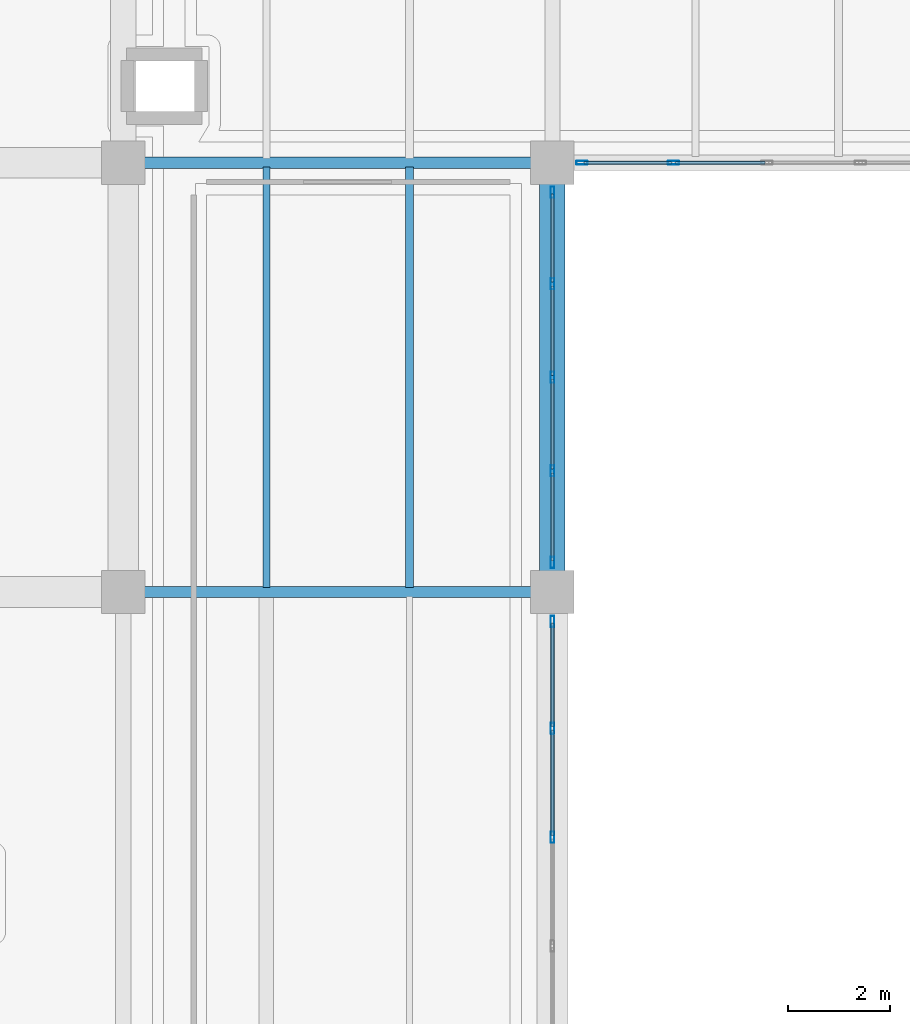
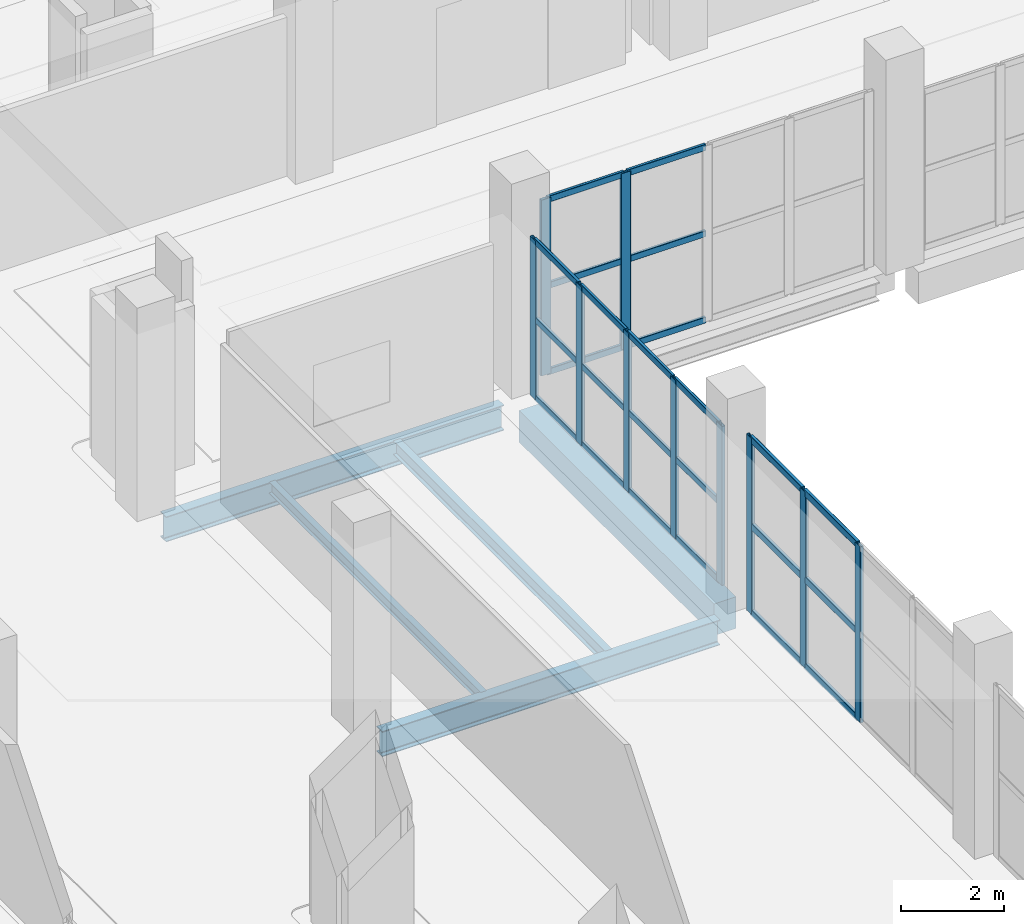
# One storey, part 33 of 66: 34 members, 5 beams, 3 elements without a shape of their own.
"""IFC4 building model written with IfcOpenShell, lengths in metres."""

from ifc_helpers import new_model, si_unit, direction, frame, origin, origin_2d, place, context, subcontext, project, spatial, rectangle, hollow_rectangle, i_section, extrude, material, layer, layer_set, material_profile, profile_set, type_object, element, aggregate, save


model = new_model("IFC4")

# Units and contexts
model_context = context("Model", 3, precision=1e-05, world=origin(), true_north=direction((0.0, 1.0)))
body_context = subcontext(model_context, "Body", "Model", "MODEL_VIEW")
ifc_project = project(units=[si_unit("LENGTHUNIT", "METRE"), si_unit("AREAUNIT", "SQUARE_METRE"), si_unit("VOLUMEUNIT", "CUBIC_METRE"), si_unit("PLANEANGLEUNIT", "RADIAN"), si_unit("MASSUNIT", "GRAM", prefix="KILO")], contexts=[model_context])

# Site, building, storey
site_placement = place(None, origin())
site = spatial("IfcSite", under=ifc_project, at=site_placement, CompositionType="ELEMENT")
building_placement = place(site_placement, origin())
building = spatial("IfcBuilding", under=site, at=building_placement, Name="Zulmaris Art Gallery", CompositionType="ELEMENT")
storey_placement = place(building_placement, frame((0.0, 0.0, 5.39990234375)))
storey = spatial("IfcBuildingStorey", under=building, at=storey_placement, Name="L01", CompositionType="ELEMENT", Elevation=5.39990234375)

# Beams
ifc_material_1 = material(Name="Steel S355J2", Category="steel")
ifc_material_profile_1 = material_profile(ifc_material_1, i_section(OverallWidth=0.219970703125, OverallDepth=0.60009765625, WebThickness=0.011962890625, FlangeThickness=0.01904296875, FilletRadius=0.02392578125, at=origin_2d()), Name="IPE 600")
ifc_profile_set_1 = profile_set([ifc_material_profile_1], Name="Steel S355J2")
beam_type_1 = type_object("IfcBeamType", Name="BEAM-BM07", PredefinedType="BEAM", material=ifc_profile_set_1)
for number, where, z_axis, x_axis, name in (
    (1, (150.409912109375, 50.39990234375, -0.6298828125), (1.0, 0.0, 0.0), (0.0, 1.0, 0.0), "L01 X-girder (150.0..158.4, y=50.4)"),
    (2, (150.409912109375, 58.800048828125, -0.6298828125), (1.0, 0.0, 0.0), (0.0, 1.0, 0.0), "L01 X-girder (150.0..158.4, y=58.8)"),
):
    element("IfcBeam", number, at=place(storey_placement, frame(where, z_axis=z_axis, x_axis=x_axis)), inside=storey, type_object=beam_type_1, Name=name, PredefinedType="BEAM", context=body_context, shape_type="SweptSolid", body=[
        extrude(i_section(OverallWidth=0.219970703125, OverallDepth=0.60009765625, WebThickness=0.011962890625, FlangeThickness=0.01904296875, FilletRadius=0.02392578125, at=origin_2d()), origin(), (0.0, 0.0, 1.0), 7.580078125),
    ])
ifc_material_2 = material(Name="Concrete C40/50", Category="concrete")
ifc_material_profile_2 = material_profile(ifc_material_2, rectangle(XDim=0.5, YDim=0.75, at=origin_2d()), Name="RC 500x750")
ifc_profile_set_2 = profile_set([ifc_material_profile_2], Name="Concrete C40/50")
beam_type_2 = type_object("IfcBeamType", Name="BEAM-BM20", PredefinedType="BEAM", material=ifc_profile_set_2)
beam_1_placement = place(storey_placement, frame((158.39990234375, 50.81005859375, -0.704833984375), z_axis=(0.0, 1.0, 0.0), x_axis=(-1.0, 0.0, 0.0)))
element("IfcBeam", 3, at=beam_1_placement, inside=storey, type_object=beam_type_2, Name="L01 Y-girder (x=158.4, 50.4..58.8)", PredefinedType="BEAM", context=body_context, shape_type="SweptSolid", body=[
    extrude(rectangle(XDim=0.5, YDim=0.75, at=origin_2d()), origin(), (0.0, 0.0, 1.0), 7.579833984375),
])
ifc_material_profile_3 = material_profile(ifc_material_1, i_section(OverallWidth=0.135009765625, OverallDepth=0.27001953125, WebThickness=0.006591796875, FlangeThickness=0.01025390625, FilletRadius=0.014892578125, at=origin_2d()), Name="IPE 270")
ifc_profile_set_3 = profile_set([ifc_material_profile_3], Name="Steel S355J2")
beam_type_3 = type_object("IfcBeamType", Name="BEAM-JS02", PredefinedType="JOIST", material=ifc_profile_set_3)
beam_2_placement = place(storey_placement, frame((152.800048828125, 50.485107421875, -0.46484375), z_axis=(0.0, 1.0, 0.0), x_axis=(-1.0, 0.0, 0.0)))
element("IfcBeam", 4, at=beam_2_placement, inside=storey, type_object=beam_type_3, Name="L01 secondary joist at x=152.8", PredefinedType="JOIST", context=body_context, shape_type="SweptSolid", body=[
    extrude(i_section(OverallWidth=0.135009765625, OverallDepth=0.27001953125, WebThickness=0.006591796875, FlangeThickness=0.01025390625, FilletRadius=0.014892578125, at=origin_2d()), origin(), (0.0, 0.0, 1.0), 8.22998046875),
])
ifc_material_profile_4 = material_profile(ifc_material_1, i_section(OverallWidth=0.159912109375, OverallDepth=0.330078125, WebThickness=0.007568359375, FlangeThickness=0.011474609375, FilletRadius=0.01806640625, at=origin_2d()), Name="IPE 330")
ifc_profile_set_4 = profile_set([ifc_material_profile_4], Name="Steel S355J2")
beam_type_4 = type_object("IfcBeamType", Name="BEAM-JS03", PredefinedType="JOIST", material=ifc_profile_set_4)
beam_3_placement = place(storey_placement, frame((155.60009765625, 50.485107421875, -0.494873046875), z_axis=(0.0, 1.0, 0.0), x_axis=(-1.0, 0.0, 0.0)))
element("IfcBeam", 5, at=beam_3_placement, inside=storey, type_object=beam_type_4, Name="L01 secondary joist at x=155.6", PredefinedType="JOIST", context=body_context, shape_type="SweptSolid", body=[
    extrude(i_section(OverallWidth=0.159912109375, OverallDepth=0.330078125, WebThickness=0.007568359375, FlangeThickness=0.011474609375, FilletRadius=0.01806640625, at=origin_2d()), origin(), (0.0, 0.0, 1.0), 8.22998046875),
])

# Curtain wall, members
ifc_material_3 = material(Name="Courtyard Artists Studio Curtain Wall", Category="aluminium")
ifc_layer = layer(ifc_material_3, 0.179931640625)
ifc_layer_set = layer_set([ifc_layer], Name="Courtyard Artists Studio Curtain Wall")
curtain_wall_type = type_object("IfcCurtainWallType", Name="CW-CW04", PredefinedType="NOTDEFINED", material=ifc_layer_set)
curtain_wall_1_placement = place(storey_placement, origin())
curtain_wall_1 = element("IfcCurtainWall", 6, at=curtain_wall_1_placement, inside=storey, type_object=curtain_wall_type, Name="L01 curtain wall 125", PredefinedType="NOTDEFINED")
ifc_material_4 = material(Name="Anodised Bronze Aluminium", Category="aluminium")
ifc_material_profile_5 = material_profile(ifc_material_4, hollow_rectangle(XDim=0.074951171875, YDim=0.219970703125, WallThickness=0.0048828125, InnerFilletRadius=0.007568359375, OuterFilletRadius=0.012451171875, at=origin_2d()), Name="ALU 75x220x5")
ifc_profile_set_5 = profile_set([ifc_material_profile_5], Name="Anodised Bronze Aluminium")
member_type_1 = type_object("IfcMemberType", Name="CWMUL-02", PredefinedType="MULLION", material=ifc_profile_set_5)
member_1_placement = place(storey_placement, frame((158.39990234375, 45.60009765625, 0.0), z_axis=(0.0, 0.0, 1.0), x_axis=(-1.0, 0.0, 0.0)))
member_1 = element("IfcMember", 7, at=member_1_placement, type_object=member_type_1, Name="CW04 mullion 3", PredefinedType="MULLION", context=body_context, shape_type="SweptSolid", body=[
    extrude(hollow_rectangle(XDim=0.074951171875, YDim=0.219970703125, WallThickness=0.0048828125, InnerFilletRadius=0.007568359375, OuterFilletRadius=0.012451171875, at=origin_2d()), origin(), (0.0, 0.0, 1.0), 4.175048828125),
])
member_2_placement = place(storey_placement, frame((158.39990234375, 47.72998046875, 0.0), z_axis=(0.0, 0.0, 1.0), x_axis=(-1.0, 0.0, 0.0)))
member_2 = element("IfcMember", 8, at=member_2_placement, type_object=member_type_1, Name="CW04 mullion 4", PredefinedType="MULLION", context=body_context, shape_type="SweptSolid", body=[
    extrude(hollow_rectangle(XDim=0.074951171875, YDim=0.219970703125, WallThickness=0.0048828125, InnerFilletRadius=0.007568359375, OuterFilletRadius=0.012451171875, at=origin_2d()), origin(), (0.0, 0.0, 1.0), 4.175048828125),
])
member_3_placement = place(storey_placement, frame((158.39990234375, 49.822509765625, 0.0), z_axis=(0.0, 0.0, 1.0), x_axis=(-1.0, 0.0, 0.0)))
member_3 = element("IfcMember", 9, at=member_3_placement, type_object=member_type_1, Name="CW04 mullion 5", PredefinedType="MULLION", context=body_context, shape_type="SweptSolid", body=[
    extrude(hollow_rectangle(XDim=0.074951171875, YDim=0.219970703125, WallThickness=0.0048828125, InnerFilletRadius=0.007568359375, OuterFilletRadius=0.012451171875, at=origin_2d()), origin(), (0.0, 0.0, 1.0), 4.175048828125),
])

curtain_wall_2_placement = place(storey_placement, origin())
curtain_wall_2 = element("IfcCurtainWall", 10, at=curtain_wall_2_placement, inside=storey, type_object=curtain_wall_type, Name="L01 curtain wall 127", PredefinedType="NOTDEFINED")
member_4_placement = place(storey_placement, frame((158.39990234375, 50.9775390625, 0.0), z_axis=(0.0, 0.0, 1.0), x_axis=(-1.0, 0.0, 0.0)))
member_4 = element("IfcMember", 11, at=member_4_placement, type_object=member_type_1, Name="CW04 mullion 1", PredefinedType="MULLION", context=body_context, shape_type="SweptSolid", body=[
    extrude(hollow_rectangle(XDim=0.074951171875, YDim=0.219970703125, WallThickness=0.0048828125, InnerFilletRadius=0.007568359375, OuterFilletRadius=0.012451171875, at=origin_2d()), origin(), (0.0, 0.0, 1.0), 3.77001953125),
])
member_5_placement = place(storey_placement, frame((158.39990234375, 52.77001953125, 0.0), z_axis=(0.0, 0.0, 1.0), x_axis=(-1.0, 0.0, 0.0)))
member_5 = element("IfcMember", 12, at=member_5_placement, type_object=member_type_1, Name="CW04 mullion 2", PredefinedType="MULLION", context=body_context, shape_type="SweptSolid", body=[
    extrude(hollow_rectangle(XDim=0.074951171875, YDim=0.219970703125, WallThickness=0.0048828125, InnerFilletRadius=0.007568359375, OuterFilletRadius=0.012451171875, at=origin_2d()), origin(), (0.0, 0.0, 1.0), 3.77001953125),
])
member_6_placement = place(storey_placement, frame((158.39990234375, 54.60009765625, 0.0), z_axis=(0.0, 0.0, 1.0), x_axis=(-1.0, 0.0, 0.0)))
member_6 = element("IfcMember", 13, at=member_6_placement, type_object=member_type_1, Name="CW04 mullion 3", PredefinedType="MULLION", context=body_context, shape_type="SweptSolid", body=[
    extrude(hollow_rectangle(XDim=0.074951171875, YDim=0.219970703125, WallThickness=0.0048828125, InnerFilletRadius=0.007568359375, OuterFilletRadius=0.012451171875, at=origin_2d()), origin(), (0.0, 0.0, 1.0), 3.77001953125),
])
member_7_placement = place(storey_placement, frame((158.39990234375, 56.429931640625, 0.0), z_axis=(0.0, 0.0, 1.0), x_axis=(-1.0, 0.0, 0.0)))
member_7 = element("IfcMember", 14, at=member_7_placement, type_object=member_type_1, Name="CW04 mullion 4", PredefinedType="MULLION", context=body_context, shape_type="SweptSolid", body=[
    extrude(hollow_rectangle(XDim=0.074951171875, YDim=0.219970703125, WallThickness=0.0048828125, InnerFilletRadius=0.007568359375, OuterFilletRadius=0.012451171875, at=origin_2d()), origin(), (0.0, 0.0, 1.0), 3.77001953125),
])
member_8_placement = place(storey_placement, frame((158.39990234375, 58.222412109375, 0.0), z_axis=(0.0, 0.0, 1.0), x_axis=(-1.0, 0.0, 0.0)))
member_8 = element("IfcMember", 15, at=member_8_placement, type_object=member_type_1, Name="CW04 mullion 5", PredefinedType="MULLION", context=body_context, shape_type="SweptSolid", body=[
    extrude(hollow_rectangle(XDim=0.074951171875, YDim=0.219970703125, WallThickness=0.0048828125, InnerFilletRadius=0.007568359375, OuterFilletRadius=0.012451171875, at=origin_2d()), origin(), (0.0, 0.0, 1.0), 3.77001953125),
])

curtain_wall_3_placement = place(storey_placement, origin())
curtain_wall_3 = element("IfcCurtainWall", 16, at=curtain_wall_3_placement, inside=storey, type_object=curtain_wall_type, Name="L01 curtain wall 129", PredefinedType="NOTDEFINED")
member_9_placement = place(storey_placement, frame((160.77001953125, 58.800048828125, 0.0), z_axis=(0.0, 0.0, 1.0), x_axis=(0.0, -1.0, 0.0)))
member_9 = element("IfcMember", 17, at=member_9_placement, type_object=member_type_1, Name="CW04 mullion 4", PredefinedType="MULLION", context=body_context, shape_type="SweptSolid", body=[
    extrude(hollow_rectangle(XDim=0.074951171875, YDim=0.219970703125, WallThickness=0.0048828125, InnerFilletRadius=0.007568359375, OuterFilletRadius=0.012451171875, at=origin_2d()), origin(), (0.0, 0.0, 1.0), 4.170166015625),
])
member_10_placement = place(storey_placement, frame((158.9775390625, 58.800048828125, 0.0), z_axis=(0.0, 0.0, 1.0), x_axis=(0.0, -1.0, 0.0)))
member_10 = element("IfcMember", 18, at=member_10_placement, type_object=member_type_1, Name="CW04 mullion 5", PredefinedType="MULLION", context=body_context, shape_type="SweptSolid", body=[
    extrude(hollow_rectangle(XDim=0.074951171875, YDim=0.219970703125, WallThickness=0.0048828125, InnerFilletRadius=0.007568359375, OuterFilletRadius=0.012451171875, at=origin_2d()), origin(), (0.0, 0.0, 1.0), 4.170166015625),
])

# Member
ifc_material_profile_6 = material_profile(ifc_material_4, hollow_rectangle(XDim=0.06494140625, YDim=0.14990234375, WallThickness=0.00390625, InnerFilletRadius=0.006103515625, OuterFilletRadius=0.010009765625, at=origin_2d()), Name="ALU 65x150x4")
ifc_profile_set_6 = profile_set([ifc_material_profile_6], Name="Anodised Bronze Aluminium")
member_type_2 = type_object("IfcMemberType", Name="CWTRN-01", PredefinedType="USERDEFINED", material=ifc_profile_set_6)
member_11_placement = place(storey_placement, frame((158.39990234375, 51.014892578125, 0.03759765625), z_axis=(0.0, 1.0, 0.0), x_axis=(-1.0, 0.0, 0.0)))
member_11 = element("IfcMember", 19, at=member_11_placement, type_object=member_type_2, Name="CW04 transom 1.1", ObjectType="TRANSOM", PredefinedType="USERDEFINED", context=body_context, shape_type="SweptSolid", body=[
    extrude(hollow_rectangle(XDim=0.06494140625, YDim=0.14990234375, WallThickness=0.00390625, InnerFilletRadius=0.006103515625, OuterFilletRadius=0.010009765625, at=origin_2d()), origin(), (0.0, 0.0, 1.0), 1.717529296875),
])

member_12_placement = place(storey_placement, frame((158.39990234375, 51.014892578125, 1.885009765625), z_axis=(0.0, 1.0, 0.0), x_axis=(-1.0, 0.0, 0.0)))
member_12 = element("IfcMember", 20, at=member_12_placement, type_object=member_type_2, Name="CW04 transom 1.2", ObjectType="TRANSOM", PredefinedType="USERDEFINED", context=body_context, shape_type="SweptSolid", body=[
    extrude(hollow_rectangle(XDim=0.06494140625, YDim=0.14990234375, WallThickness=0.00390625, InnerFilletRadius=0.006103515625, OuterFilletRadius=0.010009765625, at=origin_2d()), origin(), (0.0, 0.0, 1.0), 1.717529296875),
])

member_13_placement = place(storey_placement, frame((158.39990234375, 51.014892578125, 3.732666015625), z_axis=(0.0, 1.0, 0.0), x_axis=(-1.0, 0.0, 0.0)))
member_13 = element("IfcMember", 21, at=member_13_placement, type_object=member_type_2, Name="CW04 transom 1.3", ObjectType="TRANSOM", PredefinedType="USERDEFINED", context=body_context, shape_type="SweptSolid", body=[
    extrude(hollow_rectangle(XDim=0.06494140625, YDim=0.14990234375, WallThickness=0.00390625, InnerFilletRadius=0.006103515625, OuterFilletRadius=0.010009765625, at=origin_2d()), origin(), (0.0, 0.0, 1.0), 1.717529296875),
])

member_14_placement = place(storey_placement, frame((158.39990234375, 52.8076171875, 0.03759765625), z_axis=(0.0, 1.0, 0.0), x_axis=(-1.0, 0.0, 0.0)))
member_14 = element("IfcMember", 22, at=member_14_placement, type_object=member_type_2, Name="CW04 transom 2.1", ObjectType="TRANSOM", PredefinedType="USERDEFINED", context=body_context, shape_type="SweptSolid", body=[
    extrude(hollow_rectangle(XDim=0.06494140625, YDim=0.14990234375, WallThickness=0.00390625, InnerFilletRadius=0.006103515625, OuterFilletRadius=0.010009765625, at=origin_2d()), origin(), (0.0, 0.0, 1.0), 1.7548828125),
])

member_15_placement = place(storey_placement, frame((158.39990234375, 52.8076171875, 1.885009765625), z_axis=(0.0, 1.0, 0.0), x_axis=(-1.0, 0.0, 0.0)))
member_15 = element("IfcMember", 23, at=member_15_placement, type_object=member_type_2, Name="CW04 transom 2.2", ObjectType="TRANSOM", PredefinedType="USERDEFINED", context=body_context, shape_type="SweptSolid", body=[
    extrude(hollow_rectangle(XDim=0.06494140625, YDim=0.14990234375, WallThickness=0.00390625, InnerFilletRadius=0.006103515625, OuterFilletRadius=0.010009765625, at=origin_2d()), origin(), (0.0, 0.0, 1.0), 1.7548828125),
])

member_16_placement = place(storey_placement, frame((158.39990234375, 52.8076171875, 3.732666015625), z_axis=(0.0, 1.0, 0.0), x_axis=(-1.0, 0.0, 0.0)))
member_16 = element("IfcMember", 24, at=member_16_placement, type_object=member_type_2, Name="CW04 transom 2.3", ObjectType="TRANSOM", PredefinedType="USERDEFINED", context=body_context, shape_type="SweptSolid", body=[
    extrude(hollow_rectangle(XDim=0.06494140625, YDim=0.14990234375, WallThickness=0.00390625, InnerFilletRadius=0.006103515625, OuterFilletRadius=0.010009765625, at=origin_2d()), origin(), (0.0, 0.0, 1.0), 1.7548828125),
])

member_17_placement = place(storey_placement, frame((158.39990234375, 54.637451171875, 0.03759765625), z_axis=(0.0, 1.0, 0.0), x_axis=(-1.0, 0.0, 0.0)))
member_17 = element("IfcMember", 25, at=member_17_placement, type_object=member_type_2, Name="CW04 transom 3.1", ObjectType="TRANSOM", PredefinedType="USERDEFINED", context=body_context, shape_type="SweptSolid", body=[
    extrude(hollow_rectangle(XDim=0.06494140625, YDim=0.14990234375, WallThickness=0.00390625, InnerFilletRadius=0.006103515625, OuterFilletRadius=0.010009765625, at=origin_2d()), origin(), (0.0, 0.0, 1.0), 1.755126953125),
])

member_18_placement = place(storey_placement, frame((158.39990234375, 54.637451171875, 1.885009765625), z_axis=(0.0, 1.0, 0.0), x_axis=(-1.0, 0.0, 0.0)))
member_18 = element("IfcMember", 26, at=member_18_placement, type_object=member_type_2, Name="CW04 transom 3.2", ObjectType="TRANSOM", PredefinedType="USERDEFINED", context=body_context, shape_type="SweptSolid", body=[
    extrude(hollow_rectangle(XDim=0.06494140625, YDim=0.14990234375, WallThickness=0.00390625, InnerFilletRadius=0.006103515625, OuterFilletRadius=0.010009765625, at=origin_2d()), origin(), (0.0, 0.0, 1.0), 1.755126953125),
])

member_19_placement = place(storey_placement, frame((158.39990234375, 54.637451171875, 3.732666015625), z_axis=(0.0, 1.0, 0.0), x_axis=(-1.0, 0.0, 0.0)))
member_19 = element("IfcMember", 27, at=member_19_placement, type_object=member_type_2, Name="CW04 transom 3.3", ObjectType="TRANSOM", PredefinedType="USERDEFINED", context=body_context, shape_type="SweptSolid", body=[
    extrude(hollow_rectangle(XDim=0.06494140625, YDim=0.14990234375, WallThickness=0.00390625, InnerFilletRadius=0.006103515625, OuterFilletRadius=0.010009765625, at=origin_2d()), origin(), (0.0, 0.0, 1.0), 1.755126953125),
])

member_20_placement = place(storey_placement, frame((158.39990234375, 56.467529296875, 0.03759765625), z_axis=(0.0, 1.0, 0.0), x_axis=(-1.0, 0.0, 0.0)))
member_20 = element("IfcMember", 28, at=member_20_placement, type_object=member_type_2, Name="CW04 transom 4.1", ObjectType="TRANSOM", PredefinedType="USERDEFINED", context=body_context, shape_type="SweptSolid", body=[
    extrude(hollow_rectangle(XDim=0.06494140625, YDim=0.14990234375, WallThickness=0.00390625, InnerFilletRadius=0.006103515625, OuterFilletRadius=0.010009765625, at=origin_2d()), origin(), (0.0, 0.0, 1.0), 1.717529296875),
])

member_21_placement = place(storey_placement, frame((158.39990234375, 56.467529296875, 1.885009765625), z_axis=(0.0, 1.0, 0.0), x_axis=(-1.0, 0.0, 0.0)))
member_21 = element("IfcMember", 29, at=member_21_placement, type_object=member_type_2, Name="CW04 transom 4.2", ObjectType="TRANSOM", PredefinedType="USERDEFINED", context=body_context, shape_type="SweptSolid", body=[
    extrude(hollow_rectangle(XDim=0.06494140625, YDim=0.14990234375, WallThickness=0.00390625, InnerFilletRadius=0.006103515625, OuterFilletRadius=0.010009765625, at=origin_2d()), origin(), (0.0, 0.0, 1.0), 1.717529296875),
])

member_22_placement = place(storey_placement, frame((158.39990234375, 56.467529296875, 3.732666015625), z_axis=(0.0, 1.0, 0.0), x_axis=(-1.0, 0.0, 0.0)))
member_22 = element("IfcMember", 30, at=member_22_placement, type_object=member_type_2, Name="CW04 transom 4.3", ObjectType="TRANSOM", PredefinedType="USERDEFINED", context=body_context, shape_type="SweptSolid", body=[
    extrude(hollow_rectangle(XDim=0.06494140625, YDim=0.14990234375, WallThickness=0.00390625, InnerFilletRadius=0.006103515625, OuterFilletRadius=0.010009765625, at=origin_2d()), origin(), (0.0, 0.0, 1.0), 1.717529296875),
])

aggregate(curtain_wall_2, [member_4, member_5, member_6, member_7, member_8, member_11, member_12, member_13, member_14, member_15, member_16, member_17, member_18, member_19, member_20, member_21, member_22])

member_23_placement = place(storey_placement, frame((162.5625, 58.800048828125, 0.03759765625), z_axis=(-1.0, 0.0, 0.0), x_axis=(0.0, -1.0, 0.0)))
member_23 = element("IfcMember", 31, at=member_23_placement, type_object=member_type_2, Name="CW04 transom 3.1", ObjectType="TRANSOM", PredefinedType="USERDEFINED", context=body_context, shape_type="SweptSolid", body=[
    extrude(hollow_rectangle(XDim=0.06494140625, YDim=0.14990234375, WallThickness=0.00390625, InnerFilletRadius=0.006103515625, OuterFilletRadius=0.010009765625, at=origin_2d()), origin(), (0.0, 0.0, 1.0), 1.7548828125),
])

member_24_placement = place(storey_placement, frame((162.5625, 58.800048828125, 2.085205078125), z_axis=(-1.0, 0.0, 0.0), x_axis=(0.0, -1.0, 0.0)))
member_24 = element("IfcMember", 32, at=member_24_placement, type_object=member_type_2, Name="CW04 transom 3.2", ObjectType="TRANSOM", PredefinedType="USERDEFINED", context=body_context, shape_type="SweptSolid", body=[
    extrude(hollow_rectangle(XDim=0.06494140625, YDim=0.14990234375, WallThickness=0.00390625, InnerFilletRadius=0.006103515625, OuterFilletRadius=0.010009765625, at=origin_2d()), origin(), (0.0, 0.0, 1.0), 1.7548828125),
])

member_25_placement = place(storey_placement, frame((162.5625, 58.800048828125, 4.132568359375), z_axis=(-1.0, 0.0, 0.0), x_axis=(0.0, -1.0, 0.0)))
member_25 = element("IfcMember", 33, at=member_25_placement, type_object=member_type_2, Name="CW04 transom 3.3", ObjectType="TRANSOM", PredefinedType="USERDEFINED", context=body_context, shape_type="SweptSolid", body=[
    extrude(hollow_rectangle(XDim=0.06494140625, YDim=0.14990234375, WallThickness=0.00390625, InnerFilletRadius=0.006103515625, OuterFilletRadius=0.010009765625, at=origin_2d()), origin(), (0.0, 0.0, 1.0), 1.7548828125),
])

member_26_placement = place(storey_placement, frame((160.732421875, 58.800048828125, 0.03759765625), z_axis=(-1.0, 0.0, 0.0), x_axis=(0.0, -1.0, 0.0)))
member_26 = element("IfcMember", 34, at=member_26_placement, type_object=member_type_2, Name="CW04 transom 4.1", ObjectType="TRANSOM", PredefinedType="USERDEFINED", context=body_context, shape_type="SweptSolid", body=[
    extrude(hollow_rectangle(XDim=0.06494140625, YDim=0.14990234375, WallThickness=0.00390625, InnerFilletRadius=0.006103515625, OuterFilletRadius=0.010009765625, at=origin_2d()), origin(), (0.0, 0.0, 1.0), 1.717529296875),
])

member_27_placement = place(storey_placement, frame((160.732421875, 58.800048828125, 2.085205078125), z_axis=(-1.0, 0.0, 0.0), x_axis=(0.0, -1.0, 0.0)))
member_27 = element("IfcMember", 35, at=member_27_placement, type_object=member_type_2, Name="CW04 transom 4.2", ObjectType="TRANSOM", PredefinedType="USERDEFINED", context=body_context, shape_type="SweptSolid", body=[
    extrude(hollow_rectangle(XDim=0.06494140625, YDim=0.14990234375, WallThickness=0.00390625, InnerFilletRadius=0.006103515625, OuterFilletRadius=0.010009765625, at=origin_2d()), origin(), (0.0, 0.0, 1.0), 1.717529296875),
])

member_28_placement = place(storey_placement, frame((160.732421875, 58.800048828125, 4.132568359375), z_axis=(-1.0, 0.0, 0.0), x_axis=(0.0, -1.0, 0.0)))
member_28 = element("IfcMember", 36, at=member_28_placement, type_object=member_type_2, Name="CW04 transom 4.3", ObjectType="TRANSOM", PredefinedType="USERDEFINED", context=body_context, shape_type="SweptSolid", body=[
    extrude(hollow_rectangle(XDim=0.06494140625, YDim=0.14990234375, WallThickness=0.00390625, InnerFilletRadius=0.006103515625, OuterFilletRadius=0.010009765625, at=origin_2d()), origin(), (0.0, 0.0, 1.0), 1.717529296875),
])

aggregate(curtain_wall_3, [member_9, member_10, member_23, member_24, member_25, member_26, member_27, member_28])

ifc_material_profile_7 = material_profile(ifc_material_4, hollow_rectangle(XDim=0.074951171875, YDim=0.159912109375, WallThickness=0.00390625, InnerFilletRadius=0.006103515625, OuterFilletRadius=0.010009765625, at=origin_2d()), Name="ALU 75x160x4")
ifc_profile_set_7 = profile_set([ifc_material_profile_7], Name="Anodised Bronze Aluminium")
member_type_3 = type_object("IfcMemberType", Name="CWTRN-02", PredefinedType="USERDEFINED", material=ifc_profile_set_7)
member_29_placement = place(storey_placement, frame((158.39990234375, 45.637451171875, 0.03759765625), z_axis=(0.0, 1.0, 0.0), x_axis=(-1.0, 0.0, 0.0)))
member_29 = element("IfcMember", 37, at=member_29_placement, type_object=member_type_3, Name="CW04 transom 3.1", ObjectType="TRANSOM", PredefinedType="USERDEFINED", context=body_context, shape_type="SweptSolid", body=[
    extrude(hollow_rectangle(XDim=0.074951171875, YDim=0.159912109375, WallThickness=0.00390625, InnerFilletRadius=0.006103515625, OuterFilletRadius=0.010009765625, at=origin_2d()), origin(), (0.0, 0.0, 1.0), 2.054931640625),
])

member_30_placement = place(storey_placement, frame((158.39990234375, 45.637451171875, 2.087646484375), z_axis=(0.0, 1.0, 0.0), x_axis=(-1.0, 0.0, 0.0)))
member_30 = element("IfcMember", 38, at=member_30_placement, type_object=member_type_3, Name="CW04 transom 3.2", ObjectType="TRANSOM", PredefinedType="USERDEFINED", context=body_context, shape_type="SweptSolid", body=[
    extrude(hollow_rectangle(XDim=0.074951171875, YDim=0.159912109375, WallThickness=0.00390625, InnerFilletRadius=0.006103515625, OuterFilletRadius=0.010009765625, at=origin_2d()), origin(), (0.0, 0.0, 1.0), 2.054931640625),
])

member_31_placement = place(storey_placement, frame((158.39990234375, 45.637451171875, 4.1376953125), z_axis=(0.0, 1.0, 0.0), x_axis=(-1.0, 0.0, 0.0)))
member_31 = element("IfcMember", 39, at=member_31_placement, type_object=member_type_3, Name="CW04 transom 3.3", ObjectType="TRANSOM", PredefinedType="USERDEFINED", context=body_context, shape_type="SweptSolid", body=[
    extrude(hollow_rectangle(XDim=0.074951171875, YDim=0.159912109375, WallThickness=0.00390625, InnerFilletRadius=0.006103515625, OuterFilletRadius=0.010009765625, at=origin_2d()), origin(), (0.0, 0.0, 1.0), 2.054931640625),
])

member_32_placement = place(storey_placement, frame((158.39990234375, 47.767578125, 0.03759765625), z_axis=(0.0, 1.0, 0.0), x_axis=(-1.0, 0.0, 0.0)))
member_32 = element("IfcMember", 40, at=member_32_placement, type_object=member_type_3, Name="CW04 transom 4.1", ObjectType="TRANSOM", PredefinedType="USERDEFINED", context=body_context, shape_type="SweptSolid", body=[
    extrude(hollow_rectangle(XDim=0.074951171875, YDim=0.159912109375, WallThickness=0.00390625, InnerFilletRadius=0.006103515625, OuterFilletRadius=0.010009765625, at=origin_2d()), origin(), (0.0, 0.0, 1.0), 2.017333984375),
])

member_33_placement = place(storey_placement, frame((158.39990234375, 47.767578125, 2.087646484375), z_axis=(0.0, 1.0, 0.0), x_axis=(-1.0, 0.0, 0.0)))
member_33 = element("IfcMember", 41, at=member_33_placement, type_object=member_type_3, Name="CW04 transom 4.2", ObjectType="TRANSOM", PredefinedType="USERDEFINED", context=body_context, shape_type="SweptSolid", body=[
    extrude(hollow_rectangle(XDim=0.074951171875, YDim=0.159912109375, WallThickness=0.00390625, InnerFilletRadius=0.006103515625, OuterFilletRadius=0.010009765625, at=origin_2d()), origin(), (0.0, 0.0, 1.0), 2.017333984375),
])

member_34_placement = place(storey_placement, frame((158.39990234375, 47.767578125, 4.1376953125), z_axis=(0.0, 1.0, 0.0), x_axis=(-1.0, 0.0, 0.0)))
member_34 = element("IfcMember", 42, at=member_34_placement, type_object=member_type_3, Name="CW04 transom 4.3", ObjectType="TRANSOM", PredefinedType="USERDEFINED", context=body_context, shape_type="SweptSolid", body=[
    extrude(hollow_rectangle(XDim=0.074951171875, YDim=0.159912109375, WallThickness=0.00390625, InnerFilletRadius=0.006103515625, OuterFilletRadius=0.010009765625, at=origin_2d()), origin(), (0.0, 0.0, 1.0), 2.017333984375),
])

aggregate(curtain_wall_1, [member_1, member_2, member_3, member_29, member_30, member_31, member_32, member_33, member_34])

save(model, "model.ifc")
